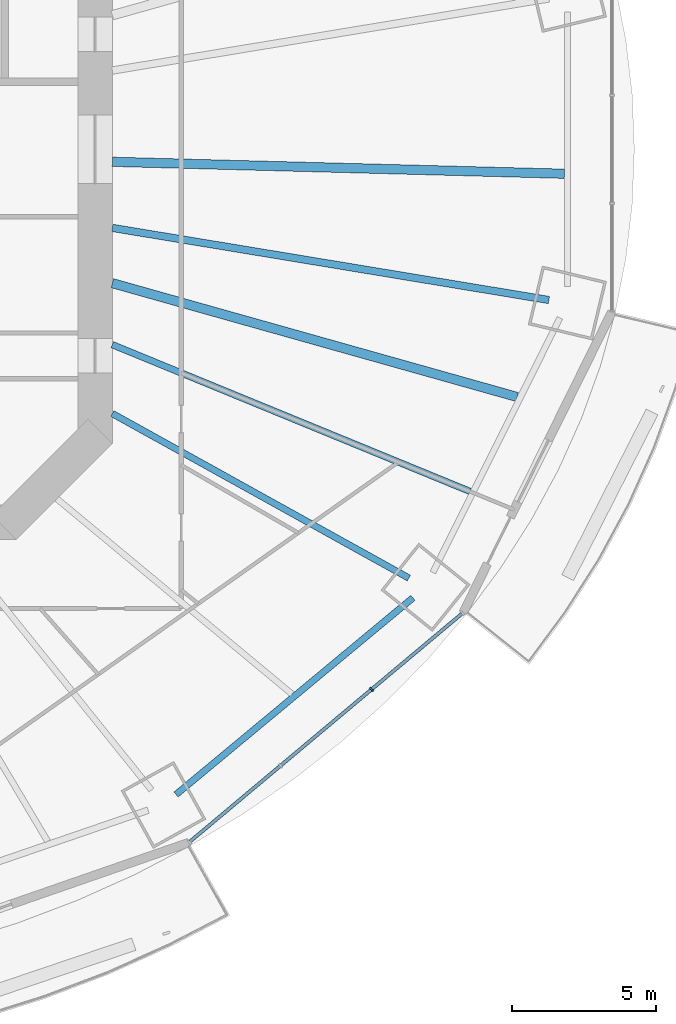
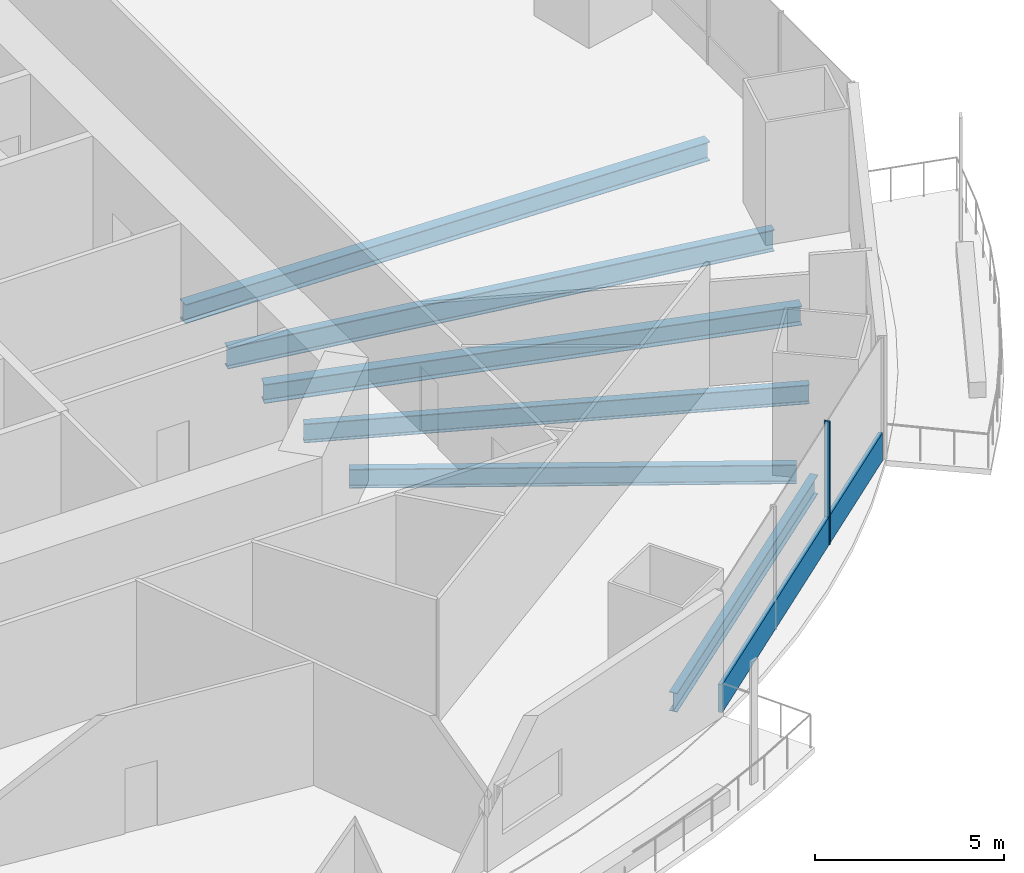
# One storey, part 5 of 22: 6 beams, 2 members, 1 element without a shape of its own.
"""IFC4 building model written with IfcOpenShell, lengths in metres."""

import ifcopenshell
import ifcopenshell.guid

model = None  # the IFC model being written
_history = None  # IfcOwnerHistory: only IFC2X3 demands one
_inside = {}  # id of a spatial element -> (the spatial element, [elements in it])
_under = {}  # id of a project, library or spatial element -> (it, [spatial elements below it])
_declared = {}  # id of a project -> (the project, [libraries it declares])
_typed = {}  # id of a type object -> (the type object, [elements of that type])
_made_of = {}  # id of a material, layer set ... -> (it, [elements and type objects made of it])


def new_model(schema):
    """Start an empty IFC model of exactly this schema.

    Asked for "IFC4X3", IfcOpenShell would pick the latest addendum, in which some entities
    have other attributes; the version numbers below select the first issue.
    IFC2X3 requires an IfcOwnerHistory on every rooted entity: one is made here for all.
    """
    global model, _history
    if schema == "IFC4X3":
        model = ifcopenshell.file(schema_version=(4, 3, 0, 0))
    else:
        model = ifcopenshell.file(schema=schema)
    _inside.clear()
    _under.clear()
    _declared.clear()
    _typed.clear()
    _made_of.clear()
    _history = None
    if model.schema == "IFC2X3":
        org = make("IfcOrganization", Name="unknown")
        user = make(
            "IfcPersonAndOrganization",
            ThePerson=make("IfcPerson", FamilyName="unknown"),
            TheOrganization=org,
        )
        app = make(
            "IfcApplication",
            ApplicationDeveloper=org,
            Version="unknown",
            ApplicationFullName="unknown",
            ApplicationIdentifier="unknown",
        )
        _history = make(
            "IfcOwnerHistory",
            OwningUser=user,
            OwningApplication=app,
            ChangeAction="ADDED",
            CreationDate=0,
        )
    return model


def make(cls, **values):
    """One entity of the class cls with the attributes given. An attribute that is None is left unset."""
    return model.create_entity(
        cls, **{name: value for name, value in values.items() if value is not None}
    )


def rooted(cls, **values):
    """An entity with a GlobalId (a new one), such as an element, a storey or a relation."""
    return make(cls, GlobalId=ifcopenshell.guid.new(), OwnerHistory=_history, **values)


def si_unit(unit_type, name, prefix=None):
    """IfcSIUnit, for example si_unit("LENGTHUNIT", "METRE", prefix="MILLI")."""
    return make("IfcSIUnit", UnitType=unit_type, Prefix=prefix, Name=name)


def assignment(units):
    """IfcUnitAssignment: the units of a project."""
    return None if units is None else make("IfcUnitAssignment", Units=units)


def point(xyz):
    """IfcCartesianPoint."""
    return None if xyz is None else make("IfcCartesianPoint", Coordinates=xyz)


def direction(xyz):
    """IfcDirection."""
    return None if xyz is None else make("IfcDirection", DirectionRatios=xyz)


def frame(location, z_axis=None, x_axis=None):
    """IfcAxis2Placement3D, a coordinate frame: its origin and axes. An axis left out is left unset."""
    return make(
        "IfcAxis2Placement3D",
        Location=point(location),
        Axis=direction(z_axis),
        RefDirection=direction(x_axis),
    )


def frame_2d(location, x_axis=None):
    """IfcAxis2Placement2D, a coordinate frame in the plane: its origin and x axis."""
    return make(
        "IfcAxis2Placement2D", Location=point(location), RefDirection=direction(x_axis)
    )


def origin():
    """The frame at (0, 0, 0) with its axes left unset."""
    return frame((0.0, 0.0, 0.0))


def origin_2d():
    """The frame at (0, 0) in the plane with its x axis left unset."""
    return frame_2d((0.0, 0.0))


def place(relative_to, where):
    """IfcLocalPlacement: puts the frame where relative to a parent placement (None: the world)."""
    return make(
        "IfcLocalPlacement", PlacementRelTo=relative_to, RelativePlacement=where
    )


def context(
    kind, dimensions, precision=None, world=None, true_north=None, identifier=None
):
    """IfcGeometricRepresentationContext, for example the 3D "Model" context."""
    return make(
        "IfcGeometricRepresentationContext",
        ContextIdentifier=identifier,
        ContextType=kind,
        CoordinateSpaceDimension=dimensions,
        Precision=precision,
        WorldCoordinateSystem=world,
        TrueNorth=true_north,
    )


def subcontext(parent, identifier, kind, view, scale=None):
    """IfcGeometricRepresentationSubContext, for example "Body" below "Model"."""
    return make(
        "IfcGeometricRepresentationSubContext",
        ContextIdentifier=identifier,
        ContextType=kind,
        ParentContext=parent,
        TargetScale=scale,
        TargetView=view,
    )


def project(units=None, contexts=None):
    """IfcProject with its units and contexts."""
    return rooted(
        "IfcProject",
        Name="project",
        RepresentationContexts=contexts,
        UnitsInContext=assignment(units),
    )


def spatial(cls, under=None, at=None, **own):
    """A site, building, storey or space (cls), placed at a placement, below another one or the project."""
    s = rooted(cls, ObjectPlacement=at, **own)
    if under is not None:
        _under.setdefault(under.id(), (under, []))[1].append(s)
    return s


def profile(cls, at=None, kind="AREA", **sizes):
    """A parametric profile (cls). Its sizes go by their IFC names, for example OverallWidth=200.0."""
    return make(cls, ProfileType=kind, Position=at, **sizes)


def rectangle(**sizes):
    """IfcRectangleProfileDef."""
    return profile("IfcRectangleProfileDef", **sizes)


def i_section(**sizes):
    """IfcIShapeProfileDef."""
    return profile("IfcIShapeProfileDef", **sizes)


def extrude(swept, where, along, depth):
    """IfcExtrudedAreaSolid: the profile swept, set in the frame where, extruded along a direction by depth."""
    return make(
        "IfcExtrudedAreaSolid",
        SweptArea=swept,
        Position=where,
        ExtrudedDirection=direction(along),
        Depth=depth,
    )


def shape(context_of_items, identifier, shape_type, items):
    """IfcShapeRepresentation: the items that make up one representation, for example the "Body"."""
    return make(
        "IfcShapeRepresentation",
        ContextOfItems=context_of_items,
        RepresentationIdentifier=identifier,
        RepresentationType=shape_type,
        Items=items,
    )


def material(Name=None, Category=None):
    """IfcMaterial."""
    return make("IfcMaterial", Name=Name, Category=Category)


def material_profile(
    of_material, cross_section, Name=None, Category=None, Priority=None
):
    """IfcMaterialProfile: a cross section and its material."""
    return make(
        "IfcMaterialProfile",
        Name=Name,
        Material=of_material,
        Profile=cross_section,
        Priority=Priority,
        Category=Category,
    )


def profile_set(profiles, Name=None, composite=None):
    """IfcMaterialProfileSet."""
    return make(
        "IfcMaterialProfileSet",
        Name=Name,
        MaterialProfiles=profiles,
        CompositeProfile=composite,
    )


def made_of(thing, what):
    """Note that an element or type object is made of a material, layer set ...; save() writes the relation."""
    if what is not None:
        _made_of.setdefault(what.id(), (what, []))[1].append(thing)
    return thing


def type_object(cls, material=None, **own):
    """A type object (cls), such as IfcWallType, which elements share."""
    return made_of(rooted(cls, **own), material)


def element(
    cls,
    number,
    at=None,
    inside=None,
    cuts=None,
    type_object=None,
    material=None,
    context=None,
    identifier="Body",
    shape_type=None,
    held_by="IfcProductDefinitionShape",
    body=None,
    shapes=None,
    **own,
):
    """One element of the class cls, such as IfcWall. Its Tag is "e" and its number.

    at: its placement. inside: the storey or other place that contains it. cuts: it is an
    opening in that element (IfcRelVoidsElement). A single representation is given by context,
    identifier, shape_type and body (its items); several are given by shapes. held_by: the class
    of the entity that holds the representations. save() writes the other relations.
    """
    e = rooted(cls, Tag="e%d" % number, ObjectPlacement=at, **own)
    if body is not None:
        shapes = [shape(context, identifier, shape_type, body)]
    if shapes is not None:
        e.Representation = make(held_by, Representations=shapes)
    if inside is not None:
        _inside.setdefault(inside.id(), (inside, []))[1].append(e)
    if cuts is not None:
        rooted(
            "IfcRelVoidsElement", RelatingBuildingElement=cuts, RelatedOpeningElement=e
        )
    if type_object is not None:
        _typed.setdefault(type_object.id(), (type_object, []))[1].append(e)
    return made_of(e, material)


def aggregate(whole, parts):
    """IfcRelAggregates: a whole, such as a stair, and the parts it consists of."""
    return rooted("IfcRelAggregates", RelatingObject=whole, RelatedObjects=parts)


def save(model, path):
    """Write the relations noted so far, then the file.

    IfcRelAggregates (storeys below a building ...), IfcRelContainedInSpatialStructure (elements
    in a storey), IfcRelDefinesByType, IfcRelAssociatesMaterial and IfcRelDeclares: one each for
    every whole, place, type object, material and project.
    """
    for whole, parts in _under.values():
        aggregate(whole, parts)
    for where, things in _inside.values():
        rooted(
            "IfcRelContainedInSpatialStructure",
            RelatedElements=things,
            RelatingStructure=where,
        )
    for kind, things in _typed.values():
        rooted("IfcRelDefinesByType", RelatedObjects=things, RelatingType=kind)
    for what, things in _made_of.values():
        rooted("IfcRelAssociatesMaterial", RelatedObjects=things, RelatingMaterial=what)
    for by, libraries in _declared.values():
        rooted("IfcRelDeclares", RelatingContext=by, RelatedDefinitions=libraries)
    model.write(path)


model = new_model("IFC4")

# Units and contexts
model_context = context("Model", 3, precision=1e-05, world=origin(), true_north=direction((0.0, 1.0)))
body_context = subcontext(model_context, "Body", "Model", "MODEL_VIEW")
ifc_project = project(units=[si_unit("LENGTHUNIT", "METRE"), si_unit("AREAUNIT", "SQUARE_METRE"), si_unit("VOLUMEUNIT", "CUBIC_METRE"), si_unit("PLANEANGLEUNIT", "RADIAN"), si_unit("MASSUNIT", "GRAM", prefix="KILO")], contexts=[model_context])

# Site, building, storey
site_placement = place(None, origin())
site = spatial("IfcSite", under=ifc_project, at=site_placement, CompositionType="ELEMENT")
building_placement = place(site_placement, origin())
building = spatial("IfcBuilding", under=site, at=building_placement, Name="Marenthal Gate Tower", CompositionType="ELEMENT")
storey_placement = place(building_placement, frame((0.0, 0.0, 95.25)))
storey = spatial("IfcBuildingStorey", under=building, at=storey_placement, Name="L19", CompositionType="ELEMENT", Elevation=95.25)

# Curtain wall, members
ifc_material_1 = material(Name="Aluminium and glass", Category="aluminium")
curtain_wall_type = type_object("IfcCurtainWallType", Name="Curtain wall typical low", PredefinedType="NOTDEFINED", material=ifc_material_1)
curtain_wall_placement = place(storey_placement, origin())
curtain_wall = element("IfcCurtainWall", 1, at=curtain_wall_placement, inside=storey, type_object=curtain_wall_type, Name="Curtain wall L19 bay 14", PredefinedType="NOTDEFINED")
ifc_material_2 = material(Name="Aluminium", Category="aluminium")
ifc_material_profile_1 = material_profile(ifc_material_2, rectangle(XDim=0.159912109375, YDim=0.06005859375, at=origin_2d()), Name="60x160 aluminium mullion")
ifc_profile_set_1 = profile_set([ifc_material_profile_1], Name="Aluminium")
member_type_1 = type_object("IfcMemberType", Name="Mullion 60x160 typical low", PredefinedType="MULLION", material=ifc_profile_set_1)
member_1_placement = place(storey_placement, frame((25.62939453125, -18.8193359375, 0.0), z_axis=(0.0, 0.0, 1.0), x_axis=(-0.642307658805, 0.766446913648, 0.0)))
member_1 = element("IfcMember", 2, at=member_1_placement, type_object=member_type_1, Name="Mullion L19 bay 14.3", PredefinedType="MULLION", context=body_context, shape_type="SweptSolid", body=[
    extrude(rectangle(XDim=0.159912109375, YDim=0.06005859375, at=origin_2d()), origin(), (0.0, 0.0, 1.0), 3.969970703125),
])
ifc_material_3 = material(Name="Aluminium", Category="aluminium")
ifc_material_profile_2 = material_profile(ifc_material_3, rectangle(XDim=0.1201171875, YDim=0.89990234375, at=origin_2d()), Name="120x900 aluminium transom")
ifc_profile_set_2 = profile_set([ifc_material_profile_2], Name="Aluminium")
member_type_2 = type_object("IfcMemberType", Name="Transom 120x900 typical low", PredefinedType="USERDEFINED", material=ifc_profile_set_2)
member_2_placement = place(storey_placement, frame((19.306396484375, -24.1181640625, 0.449951171875), z_axis=(0.766442158037, 0.642313333494, 0.0), x_axis=(-0.642313333494, 0.766442158037, 0.0)))
member_2 = element("IfcMember", 3, at=member_2_placement, type_object=member_type_2, Name="Transom L19 bay 14", ObjectType="TRANSOM", PredefinedType="USERDEFINED", context=body_context, shape_type="SweptSolid", body=[
    extrude(rectangle(XDim=0.1201171875, YDim=0.89990234375, at=origin_2d()), origin(), (0.0, 0.0, 1.0), 12.359619140625),
])
aggregate(curtain_wall, [member_1, member_2])

# Beams
ifc_material_4 = material(Name="Steel S355", Category="steel")
ifc_material_profile_3 = material_profile(ifc_material_4, i_section(OverallWidth=0.22900390625, OverallDepth=0.612060546875, WebThickness=0.011962890625, FlangeThickness=0.01953125, FilletRadius=0.0126953125, at=origin_2d()), Name="W610X125")
ifc_profile_set_3 = profile_set([ifc_material_profile_3], Name="Steel S355")
beam_type_1 = type_object("IfcBeamType", Name="W610X125 beam", PredefinedType="BEAM", material=ifc_profile_set_3)
beam_1_placement = place(storey_placement, frame((26.928466796875, -14.939697265625, -0.486083984375), z_axis=(-0.874435979354, 0.485140925929, 0.0), x_axis=(-0.485140925929, -0.874435979354, 0.0)))
element("IfcBeam", 4, at=beam_1_placement, inside=storey, type_object=beam_type_1, Name="BM-L19-15", PredefinedType="BEAM", context=body_context, shape_type="SweptSolid", body=[
    extrude(i_section(OverallWidth=0.22900390625, OverallDepth=0.612060546875, WebThickness=0.011962890625, FlangeThickness=0.01953125, FilletRadius=0.0126953125, at=origin_2d()), origin(), (0.0, 0.0, 1.0), 11.8115234375),
])
beam_2_placement = place(storey_placement, frame((29.060302734375, -11.921630859375, -0.486083984375), z_axis=(-0.925176615925, 0.379536861642, 0.0), x_axis=(-0.379536861642, -0.925176615925, 0.0)))
element("IfcBeam", 5, at=beam_2_placement, inside=storey, type_object=beam_type_1, Name="BM-L19-38", PredefinedType="BEAM", context=body_context, shape_type="SweptSolid", body=[
    extrude(i_section(OverallWidth=0.22900390625, OverallDepth=0.612060546875, WebThickness=0.011962890625, FlangeThickness=0.01953125, FilletRadius=0.0126953125, at=origin_2d()), origin(), (0.0, 0.0, 1.0), 13.468017578125),
])
beam_3_placement = place(storey_placement, frame((18.820068359375, -22.479736328125, -0.486083984375), z_axis=(0.769369356562, 0.638804190017, 0.0), x_axis=(-0.638804190017, 0.769369356562, 0.0)))
element("IfcBeam", 6, at=beam_3_placement, inside=storey, type_object=beam_type_1, Name="BM-L19-54", PredefinedType="BEAM", context=body_context, shape_type="SweptSolid", body=[
    extrude(i_section(OverallWidth=0.22900390625, OverallDepth=0.612060546875, WebThickness=0.011962890625, FlangeThickness=0.01953125, FilletRadius=0.0126953125, at=origin_2d()), origin(), (0.0, 0.0, 1.0), 10.7255859375),
])
ifc_material_5 = material(Name="Steel S355", Category="steel")
ifc_material_profile_4 = material_profile(ifc_material_5, i_section(OverallWidth=0.324951171875, OverallDepth=0.612060546875, WebThickness=0.0126953125, FlangeThickness=0.01904296875, FilletRadius=0.0126953125, at=origin_2d()), Name="W610X155")
ifc_profile_set_4 = profile_set([ifc_material_profile_4], Name="Steel S355")
beam_type_2 = type_object("IfcBeamType", Name="W610X155 beam", PredefinedType="BEAM", material=ifc_profile_set_4)
beam_4_placement = place(storey_placement, frame((30.701416015625, -8.631591796875, -0.486083984375), z_axis=(-0.962675778396, 0.270657247621, 0.0), x_axis=(-0.270657247621, -0.962675778396, 0.0)))
element("IfcBeam", 7, at=beam_4_placement, inside=storey, type_object=beam_type_2, Name="BM-L19-39", PredefinedType="BEAM", context=body_context, shape_type="SweptSolid", body=[
    extrude(i_section(OverallWidth=0.324951171875, OverallDepth=0.612060546875, WebThickness=0.0126953125, FlangeThickness=0.01904296875, FilletRadius=0.0126953125, at=origin_2d()), origin(), (0.0, 0.0, 1.0), 14.64794921875),
])
beam_5_placement = place(storey_placement, frame((32.34619140625, -0.854736328125, -0.486083984375), z_axis=(-0.999651167987, 0.026411026889, 0.0), x_axis=(-0.026411026889, -0.999651167987, 0.0)))
element("IfcBeam", 8, at=beam_5_placement, inside=storey, type_object=beam_type_2, Name="BM-L19-40", PredefinedType="BEAM", context=body_context, shape_type="SweptSolid", body=[
    extrude(i_section(OverallWidth=0.324951171875, OverallDepth=0.612060546875, WebThickness=0.0126953125, FlangeThickness=0.01904296875, FilletRadius=0.0126953125, at=origin_2d()), origin(), (0.0, 0.0, 1.0), 15.751708984375),
])
ifc_material_6 = material(Name="Steel S355", Category="steel")
ifc_material_profile_5 = material_profile(ifc_material_6, i_section(OverallWidth=0.257080078125, OverallDepth=0.693115234375, WebThickness=0.014404296875, FlangeThickness=0.023681640625, FilletRadius=0.015380859375, at=origin_2d()), Name="W690X170")
ifc_profile_set_5 = profile_set([ifc_material_profile_5], Name="Steel S355")
beam_type_3 = type_object("IfcBeamType", Name="W690X170 beam", PredefinedType="BEAM", material=ifc_profile_set_5)
beam_6_placement = place(storey_placement, frame((31.80810546875, -5.25341796875, -0.526611328125), z_axis=(-0.986634295721, 0.162950196404, 0.0), x_axis=(-0.162950196404, -0.986634295721, 0.0)))
element("IfcBeam", 9, at=beam_6_placement, inside=storey, type_object=beam_type_3, Name="BM-L19-16", PredefinedType="BEAM", context=body_context, shape_type="SweptSolid", body=[
    extrude(i_section(OverallWidth=0.257080078125, OverallDepth=0.693115234375, WebThickness=0.014404296875, FlangeThickness=0.023681640625, FilletRadius=0.015380859375, at=origin_2d()), origin(), (0.0, 0.0, 1.0), 15.4140625),
])

save(model, "model.ifc")
